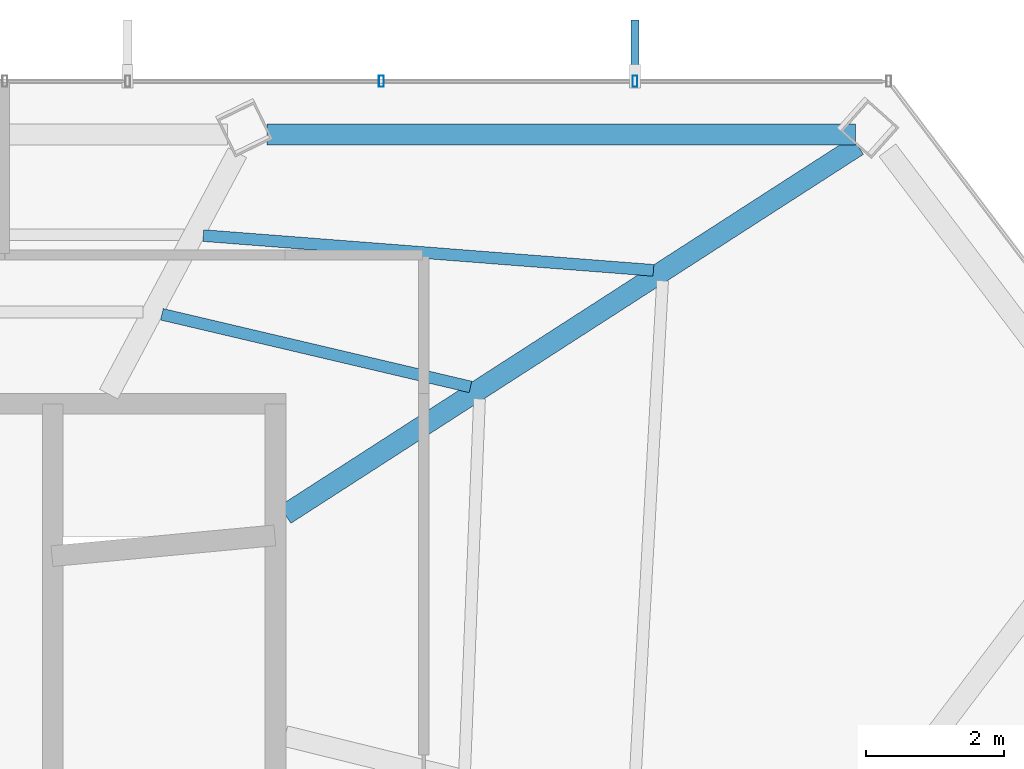
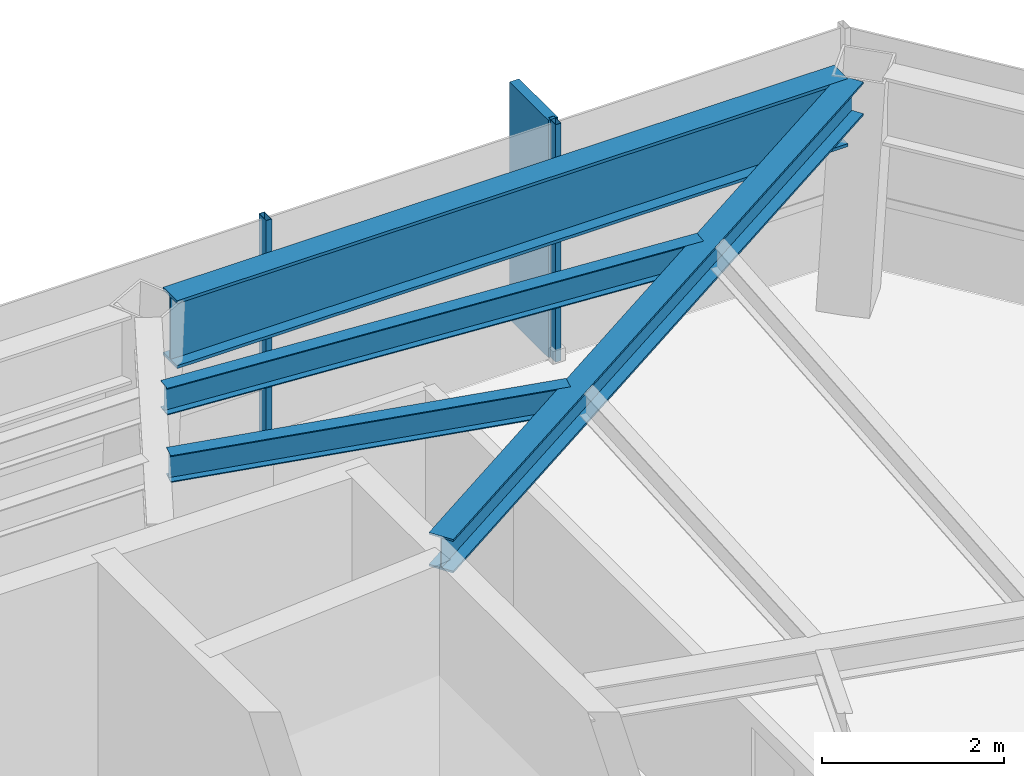
# One storey, part 19 of 25: 4 beams, 3 members, 1 element without a shape of its own.
"""IFC4 building model written with IfcOpenShell, lengths in metres."""

import ifcopenshell
import ifcopenshell.guid

model = None  # the IFC model being written
_history = None  # IfcOwnerHistory: only IFC2X3 demands one
_inside = {}  # id of a spatial element -> (the spatial element, [elements in it])
_under = {}  # id of a project, library or spatial element -> (it, [spatial elements below it])
_declared = {}  # id of a project -> (the project, [libraries it declares])
_typed = {}  # id of a type object -> (the type object, [elements of that type])
_made_of = {}  # id of a material, layer set ... -> (it, [elements and type objects made of it])


def new_model(schema):
    """Start an empty IFC model of exactly this schema.

    Asked for "IFC4X3", IfcOpenShell would pick the latest addendum, in which some entities
    have other attributes; the version numbers below select the first issue.
    IFC2X3 requires an IfcOwnerHistory on every rooted entity: one is made here for all.
    """
    global model, _history
    if schema == "IFC4X3":
        model = ifcopenshell.file(schema_version=(4, 3, 0, 0))
    else:
        model = ifcopenshell.file(schema=schema)
    _inside.clear()
    _under.clear()
    _declared.clear()
    _typed.clear()
    _made_of.clear()
    _history = None
    if model.schema == "IFC2X3":
        org = make("IfcOrganization", Name="unknown")
        user = make(
            "IfcPersonAndOrganization",
            ThePerson=make("IfcPerson", FamilyName="unknown"),
            TheOrganization=org,
        )
        app = make(
            "IfcApplication",
            ApplicationDeveloper=org,
            Version="unknown",
            ApplicationFullName="unknown",
            ApplicationIdentifier="unknown",
        )
        _history = make(
            "IfcOwnerHistory",
            OwningUser=user,
            OwningApplication=app,
            ChangeAction="ADDED",
            CreationDate=0,
        )
    return model


def make(cls, **values):
    """One entity of the class cls with the attributes given. An attribute that is None is left unset."""
    return model.create_entity(
        cls, **{name: value for name, value in values.items() if value is not None}
    )


def rooted(cls, **values):
    """An entity with a GlobalId (a new one), such as an element, a storey or a relation."""
    return make(cls, GlobalId=ifcopenshell.guid.new(), OwnerHistory=_history, **values)


def si_unit(unit_type, name, prefix=None):
    """IfcSIUnit, for example si_unit("LENGTHUNIT", "METRE", prefix="MILLI")."""
    return make("IfcSIUnit", UnitType=unit_type, Prefix=prefix, Name=name)


def assignment(units):
    """IfcUnitAssignment: the units of a project."""
    return None if units is None else make("IfcUnitAssignment", Units=units)


def point(xyz):
    """IfcCartesianPoint."""
    return None if xyz is None else make("IfcCartesianPoint", Coordinates=xyz)


def direction(xyz):
    """IfcDirection."""
    return None if xyz is None else make("IfcDirection", DirectionRatios=xyz)


def frame(location, z_axis=None, x_axis=None):
    """IfcAxis2Placement3D, a coordinate frame: its origin and axes. An axis left out is left unset."""
    return make(
        "IfcAxis2Placement3D",
        Location=point(location),
        Axis=direction(z_axis),
        RefDirection=direction(x_axis),
    )


def frame_2d(location, x_axis=None):
    """IfcAxis2Placement2D, a coordinate frame in the plane: its origin and x axis."""
    return make(
        "IfcAxis2Placement2D", Location=point(location), RefDirection=direction(x_axis)
    )


def origin():
    """The frame at (0, 0, 0) with its axes left unset."""
    return frame((0.0, 0.0, 0.0))


def origin_2d():
    """The frame at (0, 0) in the plane with its x axis left unset."""
    return frame_2d((0.0, 0.0))


def place(relative_to, where):
    """IfcLocalPlacement: puts the frame where relative to a parent placement (None: the world)."""
    return make(
        "IfcLocalPlacement", PlacementRelTo=relative_to, RelativePlacement=where
    )


def context(
    kind, dimensions, precision=None, world=None, true_north=None, identifier=None
):
    """IfcGeometricRepresentationContext, for example the 3D "Model" context."""
    return make(
        "IfcGeometricRepresentationContext",
        ContextIdentifier=identifier,
        ContextType=kind,
        CoordinateSpaceDimension=dimensions,
        Precision=precision,
        WorldCoordinateSystem=world,
        TrueNorth=true_north,
    )


def subcontext(parent, identifier, kind, view, scale=None):
    """IfcGeometricRepresentationSubContext, for example "Body" below "Model"."""
    return make(
        "IfcGeometricRepresentationSubContext",
        ContextIdentifier=identifier,
        ContextType=kind,
        ParentContext=parent,
        TargetScale=scale,
        TargetView=view,
    )


def project(units=None, contexts=None):
    """IfcProject with its units and contexts."""
    return rooted(
        "IfcProject",
        Name="project",
        RepresentationContexts=contexts,
        UnitsInContext=assignment(units),
    )


def spatial(cls, under=None, at=None, **own):
    """A site, building, storey or space (cls), placed at a placement, below another one or the project."""
    s = rooted(cls, ObjectPlacement=at, **own)
    if under is not None:
        _under.setdefault(under.id(), (under, []))[1].append(s)
    return s


def profile(cls, at=None, kind="AREA", **sizes):
    """A parametric profile (cls). Its sizes go by their IFC names, for example OverallWidth=200.0."""
    return make(cls, ProfileType=kind, Position=at, **sizes)


def rectangle(**sizes):
    """IfcRectangleProfileDef."""
    return profile("IfcRectangleProfileDef", **sizes)


def hollow_rectangle(**sizes):
    """IfcRectangleHollowProfileDef."""
    return profile("IfcRectangleHollowProfileDef", **sizes)


def i_section(**sizes):
    """IfcIShapeProfileDef."""
    return profile("IfcIShapeProfileDef", **sizes)


def extrude(swept, where, along, depth):
    """IfcExtrudedAreaSolid: the profile swept, set in the frame where, extruded along a direction by depth."""
    return make(
        "IfcExtrudedAreaSolid",
        SweptArea=swept,
        Position=where,
        ExtrudedDirection=direction(along),
        Depth=depth,
    )


def shape(context_of_items, identifier, shape_type, items):
    """IfcShapeRepresentation: the items that make up one representation, for example the "Body"."""
    return make(
        "IfcShapeRepresentation",
        ContextOfItems=context_of_items,
        RepresentationIdentifier=identifier,
        RepresentationType=shape_type,
        Items=items,
    )


def material(Name=None, Category=None):
    """IfcMaterial."""
    return make("IfcMaterial", Name=Name, Category=Category)


def layer(
    of_material, thickness, ventilated=None, Name=None, Category=None, Priority=None
):
    """IfcMaterialLayer: one layer of a wall or slab, of a material (None: an air gap)."""
    return make(
        "IfcMaterialLayer",
        Material=of_material,
        LayerThickness=thickness,
        IsVentilated=ventilated,
        Name=Name,
        Category=Category,
        Priority=Priority,
    )


def layer_set(layers, Name=None):
    """IfcMaterialLayerSet."""
    return make("IfcMaterialLayerSet", MaterialLayers=layers, LayerSetName=Name)


def material_profile(
    of_material, cross_section, Name=None, Category=None, Priority=None
):
    """IfcMaterialProfile: a cross section and its material."""
    return make(
        "IfcMaterialProfile",
        Name=Name,
        Material=of_material,
        Profile=cross_section,
        Priority=Priority,
        Category=Category,
    )


def profile_set(profiles, Name=None, composite=None):
    """IfcMaterialProfileSet."""
    return make(
        "IfcMaterialProfileSet",
        Name=Name,
        MaterialProfiles=profiles,
        CompositeProfile=composite,
    )


def made_of(thing, what):
    """Note that an element or type object is made of a material, layer set ...; save() writes the relation."""
    if what is not None:
        _made_of.setdefault(what.id(), (what, []))[1].append(thing)
    return thing


def type_object(cls, material=None, **own):
    """A type object (cls), such as IfcWallType, which elements share."""
    return made_of(rooted(cls, **own), material)


def element(
    cls,
    number,
    at=None,
    inside=None,
    cuts=None,
    type_object=None,
    material=None,
    context=None,
    identifier="Body",
    shape_type=None,
    held_by="IfcProductDefinitionShape",
    body=None,
    shapes=None,
    **own,
):
    """One element of the class cls, such as IfcWall. Its Tag is "e" and its number.

    at: its placement. inside: the storey or other place that contains it. cuts: it is an
    opening in that element (IfcRelVoidsElement). A single representation is given by context,
    identifier, shape_type and body (its items); several are given by shapes. held_by: the class
    of the entity that holds the representations. save() writes the other relations.
    """
    e = rooted(cls, Tag="e%d" % number, ObjectPlacement=at, **own)
    if body is not None:
        shapes = [shape(context, identifier, shape_type, body)]
    if shapes is not None:
        e.Representation = make(held_by, Representations=shapes)
    if inside is not None:
        _inside.setdefault(inside.id(), (inside, []))[1].append(e)
    if cuts is not None:
        rooted(
            "IfcRelVoidsElement", RelatingBuildingElement=cuts, RelatedOpeningElement=e
        )
    if type_object is not None:
        _typed.setdefault(type_object.id(), (type_object, []))[1].append(e)
    return made_of(e, material)


def aggregate(whole, parts):
    """IfcRelAggregates: a whole, such as a stair, and the parts it consists of."""
    return rooted("IfcRelAggregates", RelatingObject=whole, RelatedObjects=parts)


def save(model, path):
    """Write the relations noted so far, then the file.

    IfcRelAggregates (storeys below a building ...), IfcRelContainedInSpatialStructure (elements
    in a storey), IfcRelDefinesByType, IfcRelAssociatesMaterial and IfcRelDeclares: one each for
    every whole, place, type object, material and project.
    """
    for whole, parts in _under.values():
        aggregate(whole, parts)
    for where, things in _inside.values():
        rooted(
            "IfcRelContainedInSpatialStructure",
            RelatedElements=things,
            RelatingStructure=where,
        )
    for kind, things in _typed.values():
        rooted("IfcRelDefinesByType", RelatedObjects=things, RelatingType=kind)
    for what, things in _made_of.values():
        rooted("IfcRelAssociatesMaterial", RelatedObjects=things, RelatingMaterial=what)
    for by, libraries in _declared.values():
        rooted("IfcRelDeclares", RelatingContext=by, RelatedDefinitions=libraries)
    model.write(path)


model = new_model("IFC4")

# Units and contexts
model_context = context("Model", 3, precision=1e-05, world=origin(), true_north=direction((0.0, 1.0)))
body_context = subcontext(model_context, "Body", "Model", "MODEL_VIEW")
ifc_project = project(units=[si_unit("LENGTHUNIT", "METRE"), si_unit("AREAUNIT", "SQUARE_METRE"), si_unit("VOLUMEUNIT", "CUBIC_METRE"), si_unit("PLANEANGLEUNIT", "RADIAN"), si_unit("MASSUNIT", "GRAM", prefix="KILO")], contexts=[model_context])

# Site, building, storey
site_placement = place(None, origin())
site = spatial("IfcSite", under=ifc_project, at=site_placement, CompositionType="ELEMENT")
building_placement = place(site_placement, origin())
building = spatial("IfcBuilding", under=site, at=building_placement, Name="Zarrinselat Tower", CompositionType="ELEMENT")
storey_placement = place(building_placement, frame((0.0, 0.0, 246.159912109375)))
storey = spatial("IfcBuildingStorey", under=building, at=storey_placement, Name="L62", CompositionType="ELEMENT", Elevation=246.159912109375)

# Beams
ifc_material_1 = material(Name="Steel S355J2", Category="steel")
ifc_material_profile_1 = material_profile(ifc_material_1, i_section(OverallWidth=0.300048828125, OverallDepth=0.449951171875, WebThickness=0.013916015625, FlangeThickness=0.02587890625, at=origin_2d()), Name="HEB 450")
ifc_profile_set_1 = profile_set([ifc_material_profile_1], Name="Steel S355J2")
beam_type_1 = type_object("IfcBeamType", Name="BM-HEB450", PredefinedType="BEAM", material=ifc_profile_set_1)
beam_1_placement = place(storey_placement, frame((48.35009765625, 41.800048828125, 2.955078125), z_axis=(0.840593625751, 0.541666277653, 0.0), x_axis=(-0.541666277653, 0.840593625751, 0.0)))
element("IfcBeam", 1, at=beam_1_placement, inside=storey, type_object=beam_type_1, Name="L62 Radial Primary Girder RG01", PredefinedType="BEAM", context=body_context, shape_type="SweptSolid", body=[
    extrude(i_section(OverallWidth=0.300048828125, OverallDepth=0.449951171875, WebThickness=0.013916015625, FlangeThickness=0.02587890625, at=origin_2d()), origin(), (0.0, 0.0, 1.0), 9.841552734375),
])
ifc_material_2 = material(Name="Steel S460M", Category="steel")
ifc_material_profile_2 = material_profile(ifc_material_2, i_section(OverallWidth=0.302001953125, OverallDepth=0.909912109375, WebThickness=0.02099609375, FlangeThickness=0.0400390625, at=origin_2d()), Name="HEM 900")
ifc_profile_set_2 = profile_set([ifc_material_profile_2], Name="Steel S460M")
beam_type_2 = type_object("IfcBeamType", Name="BM-HEM900", PredefinedType="BEAM", material=ifc_profile_set_2)
beam_2_placement = place(storey_placement, frame((48.089599609375, 47.29443359375, 2.72509765625), z_axis=(1.0, 0.0, 0.0), x_axis=(0.0, 1.0, 0.0)))
element("IfcBeam", 2, at=beam_2_placement, inside=storey, type_object=beam_type_2, Name="L62 Perimeter Spandrel Girder SP01", PredefinedType="BEAM", context=body_context, shape_type="SweptSolid", body=[
    extrude(i_section(OverallWidth=0.302001953125, OverallDepth=0.909912109375, WebThickness=0.02099609375, FlangeThickness=0.0400390625, at=origin_2d()), origin(), (0.0, 0.0, 1.0), 8.4990234375),
])
ifc_material_3 = material(Name="Steel S355J2", Category="steel")
ifc_material_profile_3 = material_profile(ifc_material_3, i_section(OverallWidth=0.169921875, OverallDepth=0.360107421875, WebThickness=0.008056640625, FlangeThickness=0.0126953125, at=origin_2d()), Name="IPE 360")
ifc_profile_set_3 = profile_set([ifc_material_profile_3], Name="Steel S355J2")
beam_type_3 = type_object("IfcBeamType", Name="BM-IPE360", PredefinedType="JOIST", material=ifc_profile_set_3)
beam_3_placement = place(storey_placement, frame((47.1669921875, 45.831298828125, 3.0), z_axis=(0.997031764391, -0.076991303377, 0.0), x_axis=(0.076991303377, 0.997031764391, 0.0)))
element("IfcBeam", 3, at=beam_3_placement, inside=storey, type_object=beam_type_3, Name="L62 Composite Floor Joist 6-1", PredefinedType="JOIST", context=body_context, shape_type="SweptSolid", body=[
    extrude(i_section(OverallWidth=0.169921875, OverallDepth=0.360107421875, WebThickness=0.008056640625, FlangeThickness=0.0126953125, at=origin_2d()), origin(), (0.0, 0.0, 1.0), 6.522705078125),
])
beam_4_placement = place(storey_placement, frame((46.568603515625, 44.69384765625, 3.0), z_axis=(0.973398988209, -0.229116585505, 0.0), x_axis=(0.229116585505, 0.973398988209, 0.0)))
element("IfcBeam", 4, at=beam_4_placement, inside=storey, type_object=beam_type_3, Name="L62 Composite Floor Joist 6-2", PredefinedType="JOIST", context=body_context, shape_type="SweptSolid", body=[
    extrude(i_section(OverallWidth=0.169921875, OverallDepth=0.360107421875, WebThickness=0.008056640625, FlangeThickness=0.0126953125, at=origin_2d()), origin(), (0.0, 0.0, 1.0), 4.579833984375),
])

# Curtain wall, members
ifc_material_4 = material(Name="Extruded Aluminium Alloy EN AW-6063 T6", Category="aluminium")
ifc_layer = layer(ifc_material_4, 0.169921875)
ifc_layer_set = layer_set([ifc_layer], Name="Extruded Aluminium Alloy EN AW-6063 T6")
curtain_wall_type = type_object("IfcCurtainWallType", Name="CWS-RES", PredefinedType="NOTDEFINED", material=ifc_layer_set)
curtain_wall_placement = place(storey_placement, origin())
curtain_wall = element("IfcCurtainWall", 5, at=curtain_wall_placement, inside=storey, type_object=curtain_wall_type, Name="L62 Unitised Curtain Wall CW-L62-E01", PredefinedType="NOTDEFINED")
ifc_material_5 = material(Name="Extruded Aluminium Alloy EN AW-6063 T6", Category="aluminium")
ifc_material_profile_4 = material_profile(ifc_material_5, hollow_rectangle(XDim=0.070068359375, YDim=0.159912109375, WallThickness=0.00390625, at=origin_2d()), Name="RHS 160x70x4")
ifc_profile_set_4 = profile_set([ifc_material_profile_4], Name="Extruded Aluminium Alloy EN AW-6063 T6")
member_type_1 = type_object("IfcMemberType", Name="MEM-CW-MUL2", PredefinedType="MULLION", material=ifc_profile_set_4)
member_1_placement = place(storey_placement, frame((53.40380859375, 48.06103515625, 0.0), z_axis=(0.0, 0.0, 1.0), x_axis=(-1.0, 0.0, 0.0)))
member_1 = element("IfcMember", 6, at=member_1_placement, type_object=member_type_1, Name="CW-L62-E01 Mullion 1", PredefinedType="MULLION", context=body_context, shape_type="SweptSolid", body=[
    extrude(hollow_rectangle(XDim=0.070068359375, YDim=0.159912109375, WallThickness=0.00390625, at=origin_2d()), origin(), (0.0, 0.0, 1.0), 3.18017578125),
])
member_2_placement = place(storey_placement, frame((49.739013671875, 48.06103515625, 0.0), z_axis=(0.0, 0.0, 1.0), x_axis=(-1.0, 0.0, 0.0)))
member_2 = element("IfcMember", 7, at=member_2_placement, type_object=member_type_1, Name="CW-L62-E01 Mullion 2", PredefinedType="MULLION", context=body_context, shape_type="SweptSolid", body=[
    extrude(hollow_rectangle(XDim=0.070068359375, YDim=0.159912109375, WallThickness=0.00390625, at=origin_2d()), origin(), (0.0, 0.0, 1.0), 3.18017578125),
])
ifc_material_6 = material(Name="Honed Cream Travertine Stone", Category="masonry")
ifc_material_profile_5 = material_profile(ifc_material_6, rectangle(XDim=0.1201171875, YDim=0.85009765625, at=origin_2d()), Name="FIN 850x120")
ifc_profile_set_5 = profile_set([ifc_material_profile_5], Name="Honed Cream Travertine Stone")
member_type_2 = type_object("IfcMemberType", Name="MEM-STONE-FIN", PredefinedType="USERDEFINED", material=ifc_profile_set_5)
member_3_placement = place(storey_placement, frame((53.40380859375, 48.52099609375, 0.0), z_axis=(0.0, 0.0, 1.0), x_axis=(1.0, 0.0, 0.0)))
member_3 = element("IfcMember", 8, at=member_3_placement, type_object=member_type_2, Name="L62 Stone Shading Fin CW-L62-E01-01", ObjectType="FIN", PredefinedType="USERDEFINED", context=body_context, shape_type="SweptSolid", body=[
    extrude(rectangle(XDim=0.1201171875, YDim=0.85009765625, at=origin_2d()), origin(), (0.0, 0.0, 1.0), 3.18017578125),
])
aggregate(curtain_wall, [member_1, member_3, member_2])

save(model, "model.ifc")
